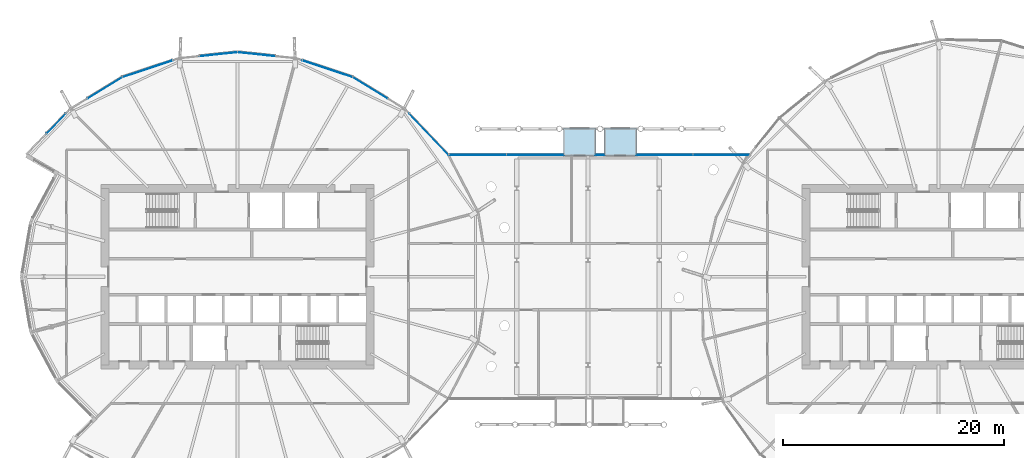
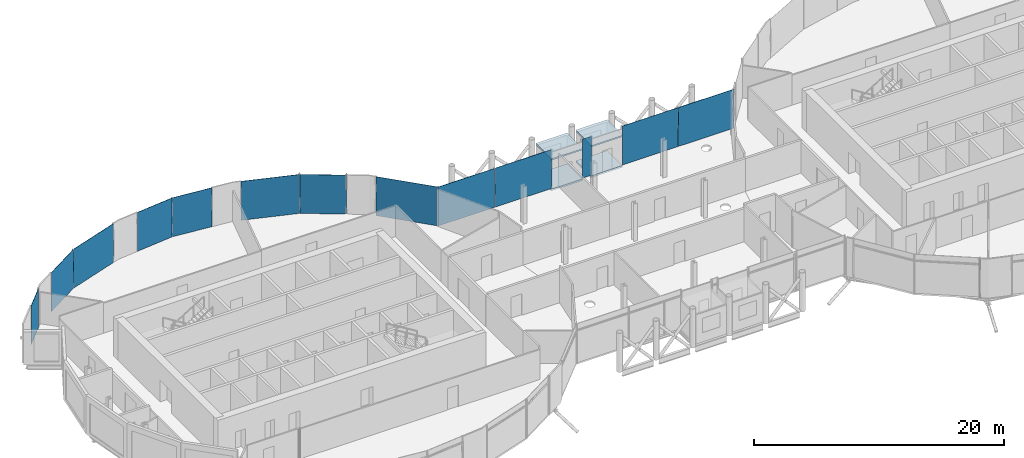
# One storey, part 22 of 40: 13 plates, 4 slabs, 2 elements without a shape of their own.
"""IFC4 building model written with IfcOpenShell, lengths in metres."""

from ifc_helpers import new_model, si_unit, direction, frame, origin, origin_2d, place, context, subcontext, project, spatial, polyline, rectangle, outline, extrude, material, layer, layer_set, type_object, element, aggregate, save


model = new_model("IFC4")

# Units and contexts
model_context = context("Model", 3, precision=1e-05, world=origin(), true_north=direction((0.0, 1.0)))
body_context = subcontext(model_context, "Body", "Model", "MODEL_VIEW")
ifc_project = project(units=[si_unit("LENGTHUNIT", "METRE"), si_unit("AREAUNIT", "SQUARE_METRE"), si_unit("VOLUMEUNIT", "CUBIC_METRE"), si_unit("PLANEANGLEUNIT", "RADIAN"), si_unit("MASSUNIT", "GRAM", prefix="KILO")], contexts=[model_context])

# Site, building, storey
site_placement = place(None, origin())
site = spatial("IfcSite", under=ifc_project, at=site_placement, CompositionType="ELEMENT")
building_placement = place(site_placement, origin())
building = spatial("IfcBuilding", under=site, at=building_placement, Name="Rimbun Link Towers", CompositionType="ELEMENT")
storey_placement = place(building_placement, frame((0.0, 0.0, 150.60009765625)))
storey = spatial("IfcBuildingStorey", under=building, at=storey_placement, Name="L36", CompositionType="ELEMENT", Elevation=150.60009765625)

# Slabs
ifc_material_1 = material(Name="Insulated metal floor panel on steel frame", Category="steel")
ifc_layer_1 = layer(ifc_material_1, 0.159912109375)
ifc_layer_set_1 = layer_set([ifc_layer_1], Name="CAPSULE floor panel 160")
slab_type_1 = type_object("IfcSlabType", Name="CAPSULE floor panel 160", PredefinedType="FLOOR", material=ifc_layer_set_1)
slab_1_placement = place(storey_placement, frame((0.0, 0.0, -0.22021484375)))
element("IfcSlab", 1, at=slab_1_placement, inside=storey, type_object=slab_type_1, Name="CAPSULE F36.01 floor panel", PredefinedType="FLOOR", context=body_context, shape_type="SweptSolid", body=[
    extrude(outline(polyline([(-2.203125, 11.0), (0.69677734375, 11.0), (0.69677734375, 13.449951171875), (-2.203125, 13.449951171875), (-2.203125, 11.0)])), origin(), (0.0, 0.0, 1.0), 0.16015625),
])
slab_2_placement = place(storey_placement, frame((0.0, 0.0, -0.22021484375)))
element("IfcSlab", 2, at=slab_2_placement, inside=storey, type_object=slab_type_1, Name="CAPSULE F36.02 floor panel", PredefinedType="FLOOR", context=body_context, shape_type="SweptSolid", body=[
    extrude(outline(polyline([(1.48681640625, 11.0), (4.38671875, 11.0), (4.38671875, 13.449951171875), (1.48681640625, 13.449951171875), (1.48681640625, 11.0)])), origin(), (0.0, 0.0, 1.0), 0.16015625),
])
ifc_material_2 = material(Name="Insulated metal roof panel with terracotta fascia", Category="masonry")
ifc_layer_2 = layer(ifc_material_2, 0.14990234375)
ifc_layer_set_2 = layer_set([ifc_layer_2], Name="CAPSULE roof panel 150")
slab_type_2 = type_object("IfcSlabType", Name="CAPSULE roof panel 150", PredefinedType="ROOF", material=ifc_layer_set_2)
slab_3_placement = place(storey_placement, frame((0.0, 0.0, 2.789794921875)))
element("IfcSlab", 3, at=slab_3_placement, inside=storey, type_object=slab_type_2, Name="CAPSULE F36.01 roof panel", PredefinedType="ROOF", context=body_context, shape_type="SweptSolid", body=[
    extrude(outline(polyline([(0.69677734375, 13.449951171875), (-2.203125, 13.449951171875), (-2.203125, 10.949951171875), (0.69677734375, 10.949951171875), (0.69677734375, 13.449951171875)])), origin(), (0.0, 0.0, 1.0), 0.150146484375),
])
slab_4_placement = place(storey_placement, frame((0.0, 0.0, 2.789794921875)))
element("IfcSlab", 4, at=slab_4_placement, inside=storey, type_object=slab_type_2, Name="CAPSULE F36.02 roof panel", PredefinedType="ROOF", context=body_context, shape_type="SweptSolid", body=[
    extrude(outline(polyline([(4.38671875, 13.449951171875), (1.48681640625, 13.449951171875), (1.48681640625, 10.949951171875), (4.38671875, 10.949951171875), (4.38671875, 13.449951171875)])), origin(), (0.0, 0.0, 1.0), 0.150146484375),
])

# Curtain wall, plates
ifc_material_3 = material(Name="Aluminium 6063-T6 and low-iron glass", Category="aluminium")
curtain_wall_type = type_object("IfcCurtainWallType", Name="CW4 link block wall", PredefinedType="NOTDEFINED", material=ifc_material_3)
curtain_wall_1_placement = place(storey_placement, origin())
curtain_wall_1 = element("IfcCurtainWall", 5, at=curtain_wall_1_placement, inside=storey, type_object=curtain_wall_type, Name="CW4 L36 LB", PredefinedType="NOTDEFINED")
ifc_material_4 = material(Name="Aluminium cladding, insulated panel", Category="aluminium")
ifc_layer_3 = layer(ifc_material_4, 0.028076171875)
ifc_layer_set_3 = layer_set([ifc_layer_3], Name="CW4 insulated panel Aluminium cladding 28")
plate_type_1 = type_object("IfcPlateType", Name="CW4 insulated panel Aluminium cladding 28", PredefinedType="CURTAIN_PANEL", material=ifc_layer_set_3)
plate_1_placement = place(storey_placement, frame((-10.008544921875, 11.013916015625, 0.0), z_axis=(0.0, 0.0, 1.0), x_axis=(1.0, 0.0, 0.0)))
plate_1 = element("IfcPlate", 6, at=plate_1_placement, type_object=plate_type_1, Name="CW4 insulated panel", PredefinedType="CURTAIN_PANEL", context=body_context, shape_type="SweptSolid", body=[
    extrude(rectangle(XDim=5.197021484375, YDim=0.028076171875, at=origin_2d()), origin(), (0.0, 0.0, 1.0), 3.800048828125),
])
plate_2_placement = place(storey_placement, frame((12.07958984375, 11.013916015625, 0.0), z_axis=(0.0, 0.0, 1.0), x_axis=(1.0, 0.0, 0.0)))
plate_2 = element("IfcPlate", 7, at=plate_2_placement, type_object=plate_type_1, Name="CW4 insulated panel", PredefinedType="CURTAIN_PANEL", context=body_context, shape_type="SweptSolid", body=[
    extrude(rectangle(XDim=5.1220703125, YDim=0.028076171875, at=origin_2d()), origin(), (0.0, 0.0, 1.0), 3.800048828125),
])

curtain_wall_2_placement = place(storey_placement, origin())
curtain_wall_2 = element("IfcCurtainWall", 8, at=curtain_wall_2_placement, inside=storey, type_object=curtain_wall_type, Name="CW4 L36 T1", PredefinedType="NOTDEFINED")
ifc_material_5 = material(Name="Low-iron glass, laminated low-e unit", Category="glass")
ifc_layer_4 = layer(ifc_material_5, 0.028076171875)
ifc_layer_set_4 = layer_set([ifc_layer_4], Name="CW4 panel Low-iron glass 28")
plate_type_2 = type_object("IfcPlateType", Name="CW4 panel Low-iron glass 28", PredefinedType="CURTAIN_PANEL", material=ifc_layer_set_4)
plate_3_placement = place(storey_placement, frame((-14.419189453125, 12.90380859375, 0.0), z_axis=(0.0, 0.0, 1.0), x_axis=(0.692041109252, -0.721858090698, 0.0)))
plate_3 = element("IfcPlate", 9, at=plate_3_placement, type_object=plate_type_2, Name="CW4 panel", PredefinedType="CURTAIN_PANEL", context=body_context, shape_type="SweptSolid", body=[
    extrude(rectangle(XDim=5.12158203125, YDim=0.028076171875, at=origin_2d()), origin(), (0.0, 0.0, 1.0), 3.800048828125),
])
plate_4_placement = place(storey_placement, frame((-19.7197265625, 17.088623046875, 0.0), z_axis=(0.0, 0.0, 1.0), x_axis=(0.852194346217, -0.523225378089, 0.0)))
plate_4 = element("IfcPlate", 10, at=plate_4_placement, type_object=plate_type_2, Name="CW4 panel", PredefinedType="CURTAIN_PANEL", context=body_context, shape_type="SweptSolid", body=[
    extrude(rectangle(XDim=3.708740234375, YDim=0.028076171875, at=origin_2d()), origin(), (0.0, 0.0, 1.0), 3.800048828125),
])
plate_5_placement = place(storey_placement, frame((-23.60107421875, 18.82666015625, 0.0), z_axis=(0.0, 0.0, 1.0), x_axis=(0.949234953763, -0.314567961741, 0.0)))
plate_5 = element("IfcPlate", 11, at=plate_5_placement, type_object=plate_type_2, Name="CW4 panel", PredefinedType="CURTAIN_PANEL", context=body_context, shape_type="SweptSolid", body=[
    extrude(rectangle(XDim=4.765869140625, YDim=0.028076171875, at=origin_2d()), origin(), (0.0, 0.0, 1.0), 3.800048828125),
])
plate_6_placement = place(storey_placement, frame((-30.021484375, 20.147705078125, 0.0), z_axis=(0.0, 0.0, 1.0), x_axis=(0.994499069305, -0.104745411125, 0.0)))
plate_6 = element("IfcPlate", 12, at=plate_6_placement, type_object=plate_type_2, Name="CW4 panel", PredefinedType="CURTAIN_PANEL", context=body_context, shape_type="SweptSolid", body=[
    extrude(rectangle(XDim=3.433349609375, YDim=0.028076171875, at=origin_2d()), origin(), (0.0, 0.0, 1.0), 3.800048828125),
])
plate_7_placement = place(storey_placement, frame((-33.478515625, 20.147705078125, 0.0), z_axis=(0.0, 0.0, 1.0), x_axis=(0.994499069305, 0.104745411125, 0.0)))
plate_7 = element("IfcPlate", 13, at=plate_7_placement, type_object=plate_type_2, Name="CW4 panel", PredefinedType="CURTAIN_PANEL", context=body_context, shape_type="SweptSolid", body=[
    extrude(rectangle(XDim=3.433349609375, YDim=0.028076171875, at=origin_2d()), origin(), (0.0, 0.0, 1.0), 3.800048828125),
])
plate_8_placement = place(storey_placement, frame((-39.89892578125, 18.82666015625, 0.0), z_axis=(0.0, 0.0, 1.0), x_axis=(0.949234953763, 0.314567961741, 0.0)))
plate_8 = element("IfcPlate", 14, at=plate_8_placement, type_object=plate_type_2, Name="CW4 panel", PredefinedType="CURTAIN_PANEL", context=body_context, shape_type="SweptSolid", body=[
    extrude(rectangle(XDim=4.765869140625, YDim=0.028076171875, at=origin_2d()), origin(), (0.0, 0.0, 1.0), 3.800048828125),
])
plate_9_placement = place(storey_placement, frame((-43.7587890625, 17.101806640625, 0.0), z_axis=(0.0, 0.0, 1.0), x_axis=(0.852194346217, 0.523225378089, 0.0)))
plate_9 = element("IfcPlate", 15, at=plate_9_placement, type_object=plate_type_2, Name="CW4 panel", PredefinedType="CURTAIN_PANEL", context=body_context, shape_type="SweptSolid", body=[
    extrude(rectangle(XDim=3.658935546875, YDim=0.028076171875, at=origin_2d()), origin(), (0.0, 0.0, 1.0), 3.800048828125),
])
plate_10_placement = place(storey_placement, frame((-48.1640625, 13.8603515625, 0.0), z_axis=(0.0, 0.0, 1.0), x_axis=(0.692041109252, 0.721858090698, 0.0)))
plate_10 = element("IfcPlate", 16, at=plate_10_placement, type_object=plate_type_2, Name="CW4 panel", PredefinedType="CURTAIN_PANEL", context=body_context, shape_type="SweptSolid", body=[
    extrude(rectangle(XDim=2.471435546875, YDim=0.028076171875, at=origin_2d()), origin(), (0.0, 0.0, 1.0), 3.800048828125),
])
aggregate(curtain_wall_2, [plate_3, plate_4, plate_5, plate_6, plate_7, plate_8, plate_9, plate_10])

# Plate
plate_11_placement = place(storey_placement, frame((-4.771728515625, 11.013916015625, 0.0), z_axis=(0.0, 0.0, 1.0), x_axis=(1.0, 0.0, 0.0)))
plate_11 = element("IfcPlate", 17, at=plate_11_placement, type_object=plate_type_2, Name="CW4 panel", PredefinedType="CURTAIN_PANEL", context=body_context, shape_type="SweptSolid", body=[
    extrude(rectangle(XDim=5.197021484375, YDim=0.028076171875, at=origin_2d()), origin(), (0.0, 0.0, 1.0), 3.800048828125),
])

plate_12_placement = place(storey_placement, frame((1.091796875, 11.013916015625, 0.0), z_axis=(0.0, 0.0, 1.0), x_axis=(1.0, 0.0, 0.0)))
plate_12 = element("IfcPlate", 18, at=plate_12_placement, type_object=plate_type_2, Name="CW4 panel", PredefinedType="CURTAIN_PANEL", context=body_context, shape_type="SweptSolid", body=[
    extrude(rectangle(XDim=0.849853515625, YDim=0.028076171875, at=origin_2d()), origin(), (0.0, 0.0, 1.0), 3.800048828125),
])

plate_13_placement = place(storey_placement, frame((6.917724609375, 11.013916015625, 0.0), z_axis=(0.0, 0.0, 1.0), x_axis=(1.0, 0.0, 0.0)))
plate_13 = element("IfcPlate", 19, at=plate_13_placement, type_object=plate_type_2, Name="CW4 panel", PredefinedType="CURTAIN_PANEL", context=body_context, shape_type="SweptSolid", body=[
    extrude(rectangle(XDim=5.1220703125, YDim=0.028076171875, at=origin_2d()), origin(), (0.0, 0.0, 1.0), 3.800048828125),
])

aggregate(curtain_wall_1, [plate_1, plate_11, plate_12, plate_13, plate_2])

save(model, "model.ifc")
